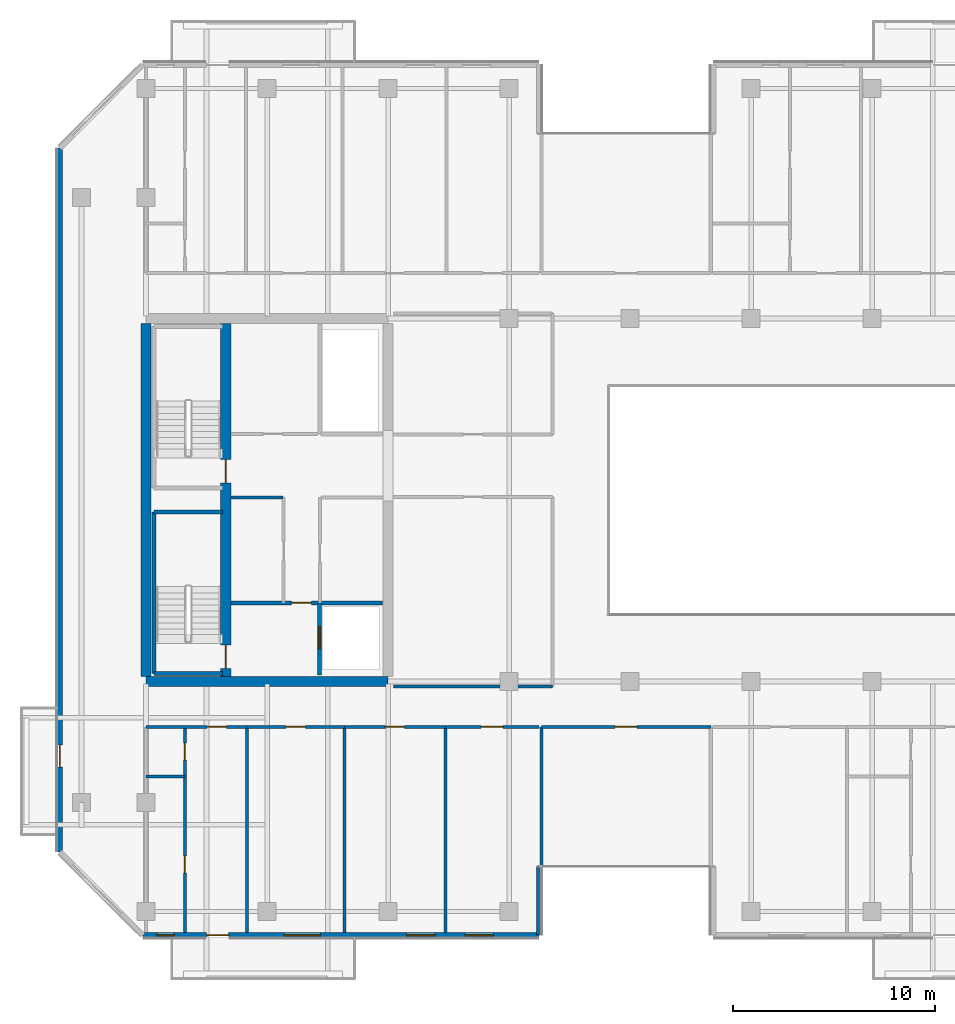
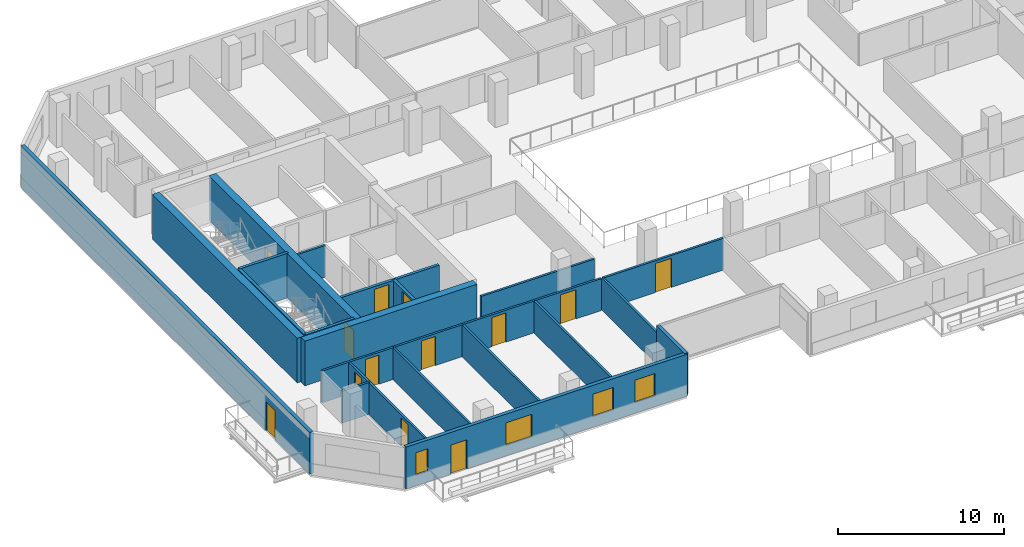
# One storey, part 9 of 19: 24 walls, 13 doors, 4 windows, 17 openings.
"""IFC4 building model written with IfcOpenShell, lengths in metres."""

from ifc_helpers import new_model, si_unit, direction, frame, frame_2d, origin, place, context, subcontext, project, spatial, rectangle, extrude, material, layer, layer_set, type_object, element, fill, save


model = new_model("IFC4")

# Units and contexts
model_context = context("Model", 3, precision=1e-05, world=origin(), true_north=direction((0.0, 1.0)))
body_context = subcontext(model_context, "Body", "Model", "MODEL_VIEW")
ifc_project = project(units=[si_unit("LENGTHUNIT", "METRE"), si_unit("AREAUNIT", "SQUARE_METRE"), si_unit("VOLUMEUNIT", "CUBIC_METRE"), si_unit("PLANEANGLEUNIT", "RADIAN"), si_unit("MASSUNIT", "GRAM", prefix="KILO")], contexts=[model_context])

# Site, building, storey
site_placement = place(None, origin())
site = spatial("IfcSite", under=ifc_project, at=site_placement, CompositionType="ELEMENT")
building_placement = place(site_placement, origin())
building = spatial("IfcBuilding", under=site, at=building_placement, Name="Tanjung Sevakor Pilgrim Tower", CompositionType="ELEMENT")
storey_placement = place(building_placement, frame((0.0, 0.0, 138.60009765625)))
storey = spatial("IfcBuildingStorey", under=building, at=storey_placement, Name="L38", CompositionType="ELEMENT", Elevation=138.60009765625)

# Walls
ifc_material_1 = material(Name="Concrete C60/75", Category="concrete")
ifc_layer_1 = layer(ifc_material_1, 0.5)
ifc_layer_set_1 = layer_set([ifc_layer_1], Name="WALL-CW-500")
wall_type_1 = type_object("IfcWallType", Name="WALL-CW-500", PredefinedType="SHEAR", material=ifc_layer_set_1)
wall_1_placement = place(storey_placement, frame((24.0, 24.60009765625, 0.0), z_axis=(0.0, 0.0, 1.0), x_axis=(1.0, 0.0, 0.0)))
element("IfcWall", 1, at=wall_1_placement, inside=storey, type_object=wall_type_1, Name="L38 W Core South Shear Wall", PredefinedType="SHEAR", context=body_context, shape_type="SweptSolid", body=[
    extrude(rectangle(XDim=12.0, YDim=0.5, at=frame_2d((6.0, 0.0))), origin(), (0.0, 0.0, 1.0), 3.2998046875),
])
wall_2_placement = place(storey_placement, frame((24.0, 24.85009765625, 0.0), z_axis=(0.0, 0.0, 1.0), x_axis=(0.0, 1.0, 0.0)))
element("IfcWall", 2, at=wall_2_placement, inside=storey, type_object=wall_type_1, Name="L38 W Core Outer Shear Wall", PredefinedType="SHEAR", context=body_context, shape_type="SweptSolid", body=[
    extrude(rectangle(XDim=17.5, YDim=0.5, at=frame_2d((8.75, 0.0))), origin(), (0.0, 0.0, 1.0), 3.2998046875),
])

# Wall, openings, doors
wall_3_placement = place(storey_placement, frame((27.949951171875, 24.85009765625, 0.0), z_axis=(0.0, 0.0, 1.0), x_axis=(0.0, 1.0, 0.0)))
wall_3 = element("IfcWall", 3, at=wall_3_placement, inside=storey, type_object=wall_type_1, Name="L38 W Core Stair Spine Wall", PredefinedType="SHEAR", context=body_context, shape_type="SweptSolid", body=[
    extrude(rectangle(XDim=17.5, YDim=0.5, at=frame_2d((8.75, 0.0))), origin(), (0.0, 0.0, 1.0), 3.2998046875),
])
opening_1_placement = place(wall_3_placement, frame((0.39990234375, 0.0, 0.0)))
opening_1 = element("IfcOpeningElement", 4, at=opening_1_placement, cuts=wall_3, Name="Opening ID-ST1", PredefinedType="OPENING", context=body_context, shape_type="SweptSolid", body=[
    extrude(rectangle(XDim=1.14990234375, YDim=2.14990234375, at=frame_2d((0.574951171875, 1.074951171875))), frame((0.0, 0.260009765625, 0.0), z_axis=(0.0, -1.0, 0.0), x_axis=(1.0, 0.0, 0.0)), (0.0, 0.0, 1.0), 0.52001953125),
])
opening_2_placement = place(wall_3_placement, frame((9.60009765625, 0.0, 0.0)))
opening_2 = element("IfcOpeningElement", 5, at=opening_2_placement, cuts=wall_3, Name="Opening ID-ST1", PredefinedType="OPENING", context=body_context, shape_type="SweptSolid", body=[
    extrude(rectangle(XDim=1.14990234375, YDim=2.14990234375, at=frame_2d((0.574951171875, 1.074951171875))), frame((0.0, 0.260009765625, 0.0), z_axis=(0.0, -1.0, 0.0), x_axis=(1.0, 0.0, 0.0)), (0.0, 0.0, 1.0), 0.52001953125),
])
ifc_material_2 = material(Name="Fire-Rated Steel S355J2", Category="steel")
door_type_1 = type_object("IfcDoorType", Name="DT-FIRE-1150", OperationType="NOTDEFINED", PredefinedType="DOOR", material=ifc_material_2)
door_1_placement = place(opening_1_placement, origin())
door_1 = element("IfcDoor", 6, at=door_1_placement, inside=storey, type_object=door_type_1, Name="L38 TS-W1 Stair Fire Door", OperationType="SINGLE_SWING_RIGHT", OverallHeight=2.14990234375, OverallWidth=1.14990234375, PredefinedType="DOOR", context=body_context, shape_type="SweptSolid", body=[
    extrude(rectangle(XDim=1.14990234375, YDim=2.14990234375, at=frame_2d((0.574951171875, 1.074951171875))), frame((0.0, 0.02490234375, 0.0), z_axis=(0.0, -1.0, 0.0), x_axis=(1.0, 0.0, 0.0)), (0.0, 0.0, 1.0), 0.050048828125),
])
fill(opening_1, door_1)
door_2_placement = place(opening_2_placement, origin())
door_2 = element("IfcDoor", 7, at=door_2_placement, inside=storey, type_object=door_type_1, Name="L38 TS-W2 Stair Fire Door", OperationType="SINGLE_SWING_LEFT", OverallHeight=2.14990234375, OverallWidth=1.14990234375, PredefinedType="DOOR", context=body_context, shape_type="SweptSolid", body=[
    extrude(rectangle(XDim=1.14990234375, YDim=2.14990234375, at=frame_2d((0.574951171875, 1.074951171875))), frame((0.0, 0.02490234375, 0.0), z_axis=(0.0, -1.0, 0.0), x_axis=(1.0, 0.0, 0.0)), (0.0, 0.0, 1.0), 0.050048828125),
])
fill(opening_2, door_2)

# Walls
ifc_material_3 = material(Name="Concrete C40/50", Category="concrete")
ifc_layer_2 = layer(ifc_material_3, 0.14990234375)
ifc_layer_set_2 = layer_set([ifc_layer_2], Name="WT-COMP-150")
wall_type_2 = type_object("IfcWallType", Name="WT-COMP-150", PredefinedType="SOLIDWALL", material=ifc_layer_set_2)
wall_4_placement = place(storey_placement, frame((28.219970703125, 33.719970703125, 0.0), z_axis=(0.0, 0.0, 1.0), x_axis=(1.0, 0.0, 0.0)))
element("IfcWall", 8, at=wall_4_placement, inside=storey, type_object=wall_type_2, Name="L38 Partition IW-L38-003", PredefinedType="SOLIDWALL", context=body_context, shape_type="SweptSolid", body=[
    extrude(rectangle(XDim=2.580078125, YDim=0.14990234375, at=frame_2d((1.2900390625, 0.0))), origin(), (0.0, 0.0, 1.0), 2.35009765625),
])
wall_5_placement = place(storey_placement, frame((36.27001953125, 24.35009765625, 0.0), z_axis=(0.0, 0.0, 1.0), x_axis=(1.0, 0.0, 0.0)))
element("IfcWall", 9, at=wall_5_placement, inside=storey, type_object=wall_type_2, Name="L38 Partition IW-L38-019", PredefinedType="SOLIDWALL", context=body_context, shape_type="SweptSolid", body=[
    extrude(rectangle(XDim=7.8798828125, YDim=0.14990234375, at=frame_2d((3.93994140625, 0.0))), origin(), (0.0, 0.0, 1.0), 2.35009765625),
])

# Wall, opening, door
wall_6_placement = place(storey_placement, frame((43.60009765625, 22.35009765625, 0.0), z_axis=(0.0, 0.0, 1.0), x_axis=(1.0, 0.0, 0.0)))
wall_6 = element("IfcWall", 10, at=wall_6_placement, inside=storey, type_object=wall_type_2, Name="L38 Partition IW-L38-031", PredefinedType="SOLIDWALL", context=body_context, shape_type="SweptSolid", body=[
    extrude(rectangle(XDim=8.39990234375, YDim=0.14990234375, at=frame_2d((4.199951171875, 0.0))), origin(), (0.0, 0.0, 1.0), 2.35009765625),
])
opening_3_placement = place(wall_6_placement, frame((3.64990234375, 0.0, 0.0)))
opening_3 = element("IfcOpeningElement", 11, at=opening_3_placement, cuts=wall_6, Name="Opening ID-RM2", PredefinedType="OPENING", context=body_context, shape_type="SweptSolid", body=[
    extrude(rectangle(XDim=1.10009765625, YDim=2.14990234375, at=frame_2d((0.550048828125, 1.074951171875))), frame((0.0, 0.0849609375, 0.0), z_axis=(0.0, -1.0, 0.0), x_axis=(1.0, 0.0, 0.0)), (0.0, 0.0, 1.0), 0.169921875),
])
ifc_material_4 = material(Name="Hardwood Timber", Category="wood")
door_type_2 = type_object("IfcDoorType", Name="DT-INT-1100", OperationType="NOTDEFINED", PredefinedType="DOOR", material=ifc_material_4)
door_3_placement = place(opening_3_placement, origin())
door_3 = element("IfcDoor", 12, at=door_3_placement, inside=storey, type_object=door_type_2, Name="L38 South Cleft Tea Sanctuary Door", OperationType="SINGLE_SWING_LEFT", OverallHeight=2.14990234375, OverallWidth=1.10009765625, PredefinedType="DOOR", context=body_context, shape_type="SweptSolid", body=[
    extrude(rectangle(XDim=1.10009765625, YDim=2.14990234375, at=frame_2d((0.550048828125, 1.074951171875))), frame((0.0, 0.02490234375, 0.0), z_axis=(0.0, -1.0, 0.0), x_axis=(1.0, 0.0, 0.0)), (0.0, 0.0, 1.0), 0.050048828125),
])
fill(opening_3, door_3)

# Walls
for number, where, z_axis, x_axis, name in (
    (13, (43.60009765625, 12.14990234375, 0.0), (0.0, 0.0, 1.0), (0.0, 1.0, 0.0), "L38 Partition IW-L38-032"),
    (14, (29.009033203125, 12.14990234375, 0.0), (0.0, 0.0, 1.0), (0.0, 1.0, 0.0), "L38 Partition IW-L38-038"),
):
    element("IfcWall", number, at=place(storey_placement, frame(where, z_axis=z_axis, x_axis=x_axis)), inside=storey, type_object=wall_type_2, Name=name, PredefinedType="SOLIDWALL", context=body_context, shape_type="SweptSolid", body=[
        extrude(rectangle(XDim=10.2001953125, YDim=0.14990234375, at=frame_2d((5.10009765625, 0.0))), origin(), (0.0, 0.0, 1.0), 2.35009765625),
    ])

# Wall, opening, door
wall_7_placement = place(storey_placement, frame((24.0, 22.35009765625, 0.0), z_axis=(0.0, 0.0, 1.0), x_axis=(1.0, 0.0, 0.0)))
wall_7 = element("IfcWall", 15, at=wall_7_placement, inside=storey, type_object=wall_type_2, Name="L38 Partition IW-L38-041", PredefinedType="SOLIDWALL", context=body_context, shape_type="SweptSolid", body=[
    extrude(rectangle(XDim=5.009033203125, YDim=0.14990234375, at=frame_2d((2.50439453125, 0.0))), origin(), (0.0, 0.0, 1.0), 2.35009765625),
])
opening_4_placement = place(wall_7_placement, frame((3.029541015625, 0.0, 0.0)))
opening_4 = element("IfcOpeningElement", 16, at=opening_4_placement, cuts=wall_7, Name="Opening ID-FD2", PredefinedType="OPENING", context=body_context, shape_type="SweptSolid", body=[
    extrude(rectangle(XDim=0.949951171875, YDim=2.14990234375, at=frame_2d((0.47509765625, 1.074951171875))), frame((0.0, 0.0849609375, 0.0), z_axis=(0.0, -1.0, 0.0), x_axis=(1.0, 0.0, 0.0)), (0.0, 0.0, 1.0), 0.169921875),
])
ifc_material_5 = material(Name="Fire-Rated Timber", Category="wood")
door_type_3 = type_object("IfcDoorType", Name="DT-FIRE-950", OperationType="NOTDEFINED", PredefinedType="DOOR", material=ifc_material_5)
door_4_placement = place(opening_4_placement, origin())
door_4 = element("IfcDoor", 17, at=door_4_placement, inside=storey, type_object=door_type_3, Name="Hostel Quad Entrance", OperationType="SINGLE_SWING_LEFT", OverallHeight=2.14990234375, OverallWidth=0.949951171875, PredefinedType="DOOR", context=body_context, shape_type="SweptSolid", body=[
    extrude(rectangle(XDim=0.949951171875, YDim=2.14990234375, at=frame_2d((0.47509765625, 1.074951171875))), frame((0.0, 0.02490234375, 0.0), z_axis=(0.0, -1.0, 0.0), x_axis=(1.0, 0.0, 0.0)), (0.0, 0.0, 1.0), 0.050048828125),
])
fill(opening_4, door_4)

# Wall
wall_8_placement = place(storey_placement, frame((33.832763671875, 12.14990234375, 0.0), z_axis=(0.0, 0.0, 1.0), x_axis=(0.0, 1.0, 0.0)))
element("IfcWall", 18, at=wall_8_placement, inside=storey, type_object=wall_type_2, Name="L38 Partition IW-L38-042", PredefinedType="SOLIDWALL", context=body_context, shape_type="SweptSolid", body=[
    extrude(rectangle(XDim=10.2001953125, YDim=0.14990234375, at=frame_2d((5.10009765625, 0.0))), origin(), (0.0, 0.0, 1.0), 2.35009765625),
])

# Wall, opening, door
wall_9_placement = place(storey_placement, frame((29.009033203125, 22.35009765625, 0.0), z_axis=(0.0, 0.0, 1.0), x_axis=(1.0, 0.0, 0.0)))
wall_9 = element("IfcWall", 19, at=wall_9_placement, inside=storey, type_object=wall_type_2, Name="L38 Partition IW-L38-043", PredefinedType="SOLIDWALL", context=body_context, shape_type="SweptSolid", body=[
    extrude(rectangle(XDim=4.82373046875, YDim=0.14990234375, at=frame_2d((2.411865234375, 0.0))), origin(), (0.0, 0.0, 1.0), 2.35009765625),
])
opening_5_placement = place(wall_9_placement, frame((1.936767578125, 0.0, 0.0)))
opening_5 = element("IfcOpeningElement", 20, at=opening_5_placement, cuts=wall_9, Name="Opening ID-FD2", PredefinedType="OPENING", context=body_context, shape_type="SweptSolid", body=[
    extrude(rectangle(XDim=0.949951171875, YDim=2.14990234375, at=frame_2d((0.47509765625, 1.074951171875))), frame((0.0, 0.0849609375, 0.0), z_axis=(0.0, -1.0, 0.0), x_axis=(1.0, 0.0, 0.0)), (0.0, 0.0, 1.0), 0.169921875),
])
door_5_placement = place(opening_5_placement, origin())
door_5 = element("IfcDoor", 21, at=door_5_placement, inside=storey, type_object=door_type_3, Name="Study Room Entrance", OperationType="SINGLE_SWING_RIGHT", OverallHeight=2.14990234375, OverallWidth=0.949951171875, PredefinedType="DOOR", context=body_context, shape_type="SweptSolid", body=[
    extrude(rectangle(XDim=0.949951171875, YDim=2.14990234375, at=frame_2d((0.47509765625, 1.074951171875))), frame((0.0, 0.02490234375, 0.0), z_axis=(0.0, -1.0, 0.0), x_axis=(1.0, 0.0, 0.0)), (0.0, 0.0, 1.0), 0.050048828125),
])
fill(opening_5, door_5)

# Wall
wall_10_placement = place(storey_placement, frame((38.841796875, 12.14990234375, 0.0), z_axis=(0.0, 0.0, 1.0), x_axis=(0.0, 1.0, 0.0)))
element("IfcWall", 22, at=wall_10_placement, inside=storey, type_object=wall_type_2, Name="L38 Partition IW-L38-044", PredefinedType="SOLIDWALL", context=body_context, shape_type="SweptSolid", body=[
    extrude(rectangle(XDim=10.2001953125, YDim=0.14990234375, at=frame_2d((5.10009765625, 0.0))), origin(), (0.0, 0.0, 1.0), 2.35009765625),
])

# Wall, opening, door
wall_11_placement = place(storey_placement, frame((33.832763671875, 22.35009765625, 0.0), z_axis=(0.0, 0.0, 1.0), x_axis=(1.0, 0.0, 0.0)))
wall_11 = element("IfcWall", 23, at=wall_11_placement, inside=storey, type_object=wall_type_2, Name="L38 Partition IW-L38-045", PredefinedType="SOLIDWALL", context=body_context, shape_type="SweptSolid", body=[
    extrude(rectangle(XDim=5.009033203125, YDim=0.14990234375, at=frame_2d((2.50439453125, 0.0))), origin(), (0.0, 0.0, 1.0), 2.35009765625),
])
opening_6_placement = place(wall_11_placement, frame((2.029541015625, 0.0, 0.0)))
opening_6 = element("IfcOpeningElement", 24, at=opening_6_placement, cuts=wall_11, Name="Opening ID-FD2", PredefinedType="OPENING", context=body_context, shape_type="SweptSolid", body=[
    extrude(rectangle(XDim=0.949951171875, YDim=2.14990234375, at=frame_2d((0.47509765625, 1.074951171875))), frame((0.0, 0.0849609375, 0.0), z_axis=(0.0, -1.0, 0.0), x_axis=(1.0, 0.0, 0.0)), (0.0, 0.0, 1.0), 0.169921875),
])
door_6_placement = place(opening_6_placement, origin())
door_6 = element("IfcDoor", 25, at=door_6_placement, inside=storey, type_object=door_type_3, Name="Study Room Entrance", OperationType="SINGLE_SWING_LEFT", OverallHeight=2.14990234375, OverallWidth=0.949951171875, PredefinedType="DOOR", context=body_context, shape_type="SweptSolid", body=[
    extrude(rectangle(XDim=0.949951171875, YDim=2.14990234375, at=frame_2d((0.47509765625, 1.074951171875))), frame((0.0, 0.02490234375, 0.0), z_axis=(0.0, -1.0, 0.0), x_axis=(1.0, 0.0, 0.0)), (0.0, 0.0, 1.0), 0.050048828125),
])
fill(opening_6, door_6)

wall_12_placement = place(storey_placement, frame((38.841796875, 22.35009765625, 0.0), z_axis=(0.0, 0.0, 1.0), x_axis=(1.0, 0.0, 0.0)))
wall_12 = element("IfcWall", 26, at=wall_12_placement, inside=storey, type_object=wall_type_2, Name="L38 Partition IW-L38-046", PredefinedType="SOLIDWALL", context=body_context, shape_type="SweptSolid", body=[
    extrude(rectangle(XDim=4.63818359375, YDim=0.14990234375, at=frame_2d((2.319091796875, 0.0))), origin(), (0.0, 0.0, 1.0), 2.35009765625),
])
opening_7_placement = place(wall_12_placement, frame((1.76904296875, 0.0, 0.0)))
opening_7 = element("IfcOpeningElement", 27, at=opening_7_placement, cuts=wall_12, Name="Opening ID-FD0", PredefinedType="OPENING", context=body_context, shape_type="SweptSolid", body=[
    extrude(rectangle(XDim=1.10009765625, YDim=2.14990234375, at=frame_2d((0.550048828125, 1.074951171875))), frame((0.0, 0.0849609375, 0.0), z_axis=(0.0, -1.0, 0.0), x_axis=(1.0, 0.0, 0.0)), (0.0, 0.0, 1.0), 0.169921875),
])
ifc_material_6 = material(Name="Fire-Rated Steel S355J2", Category="steel")
door_type_4 = type_object("IfcDoorType", Name="DT-FIRE-1100", OperationType="NOTDEFINED", PredefinedType="DOOR", material=ifc_material_6)
door_7_placement = place(opening_7_placement, origin())
door_7 = element("IfcDoor", 28, at=door_7_placement, inside=storey, type_object=door_type_4, Name="Communal Lounge Door", OperationType="SINGLE_SWING_RIGHT", OverallHeight=2.14990234375, OverallWidth=1.10009765625, PredefinedType="DOOR", context=body_context, shape_type="SweptSolid", body=[
    extrude(rectangle(XDim=1.10009765625, YDim=2.14990234375, at=frame_2d((0.550048828125, 1.074951171875))), frame((0.0, 0.02490234375, 0.0), z_axis=(0.0, -1.0, 0.0), x_axis=(1.0, 0.0, 0.0)), (0.0, 0.0, 1.0), 0.050048828125),
])
fill(opening_7, door_7)

# Wall, openings, door, windows
ifc_material_7 = material(Name="Precast concrete C45/55", Category="concrete")
ifc_layer_3 = layer(ifc_material_7, 0.25)
ifc_layer_set_3 = layer_set([ifc_layer_3], Name="WT-EW-STN3")
wall_type_3 = type_object("IfcWallType", Name="WT-EW-STN3", PredefinedType="SOLIDWALL", material=ifc_layer_set_3)
wall_13_placement = place(storey_placement, frame((23.851806640625, 12.02490234375, 0.0), z_axis=(0.0, 0.0, 1.0), x_axis=(1.0, 0.0, 0.0)))
wall_13 = element("IfcWall", 29, at=wall_13_placement, inside=storey, type_object=wall_type_3, Name="L38 MAIN Exterior Wall 1", PredefinedType="SOLIDWALL", context=body_context, shape_type="SweptSolid", body=[
    extrude(rectangle(XDim=19.623291015625, YDim=0.25, at=frame_2d((9.8115234375, 0.0))), origin(), (0.0, 0.0, 1.0), 3.080078125),
])
opening_8_placement = place(wall_13_placement, frame((3.148193359375, 0.0, 0.0)))
opening_8 = element("IfcOpeningElement", 30, at=opening_8_placement, cuts=wall_13, Name="Opening ED-BAL-1100", PredefinedType="OPENING", context=body_context, shape_type="SweptSolid", body=[
    extrude(rectangle(XDim=1.10009765625, YDim=2.14990234375, at=frame_2d((0.550048828125, 1.074951171875))), frame((0.0, 0.135009765625, 0.0), z_axis=(0.0, -1.0, 0.0), x_axis=(1.0, 0.0, 0.0)), (0.0, 0.0, 1.0), 0.27001953125),
])
opening_9_placement = place(wall_13_placement, frame((0.693115234375, 0.0, 0.780029296875)))
opening_9 = element("IfcOpeningElement", 31, at=opening_9_placement, cuts=wall_13, Name="Opening WN-SLM", PredefinedType="OPENING", context=body_context, shape_type="SweptSolid", body=[
    extrude(rectangle(XDim=0.85009765625, YDim=1.64990234375, at=frame_2d((0.425048828125, 0.824951171875))), frame((0.0, 0.135009765625, 0.0), z_axis=(0.0, -1.0, 0.0), x_axis=(1.0, 0.0, 0.0)), (0.0, 0.0, 1.0), 0.27001953125),
])
opening_10_placement = place(wall_13_placement, frame((6.989013671875, 0.0, 0.780029296875)))
opening_10 = element("IfcOpeningElement", 32, at=opening_10_placement, cuts=wall_13, Name="Opening WN-Z3-1660", PredefinedType="OPENING", context=body_context, shape_type="SweptSolid", body=[
    extrude(rectangle(XDim=1.800048828125, YDim=1.659912109375, at=frame_2d((0.89990234375, 0.830078125))), frame((0.0, 0.135009765625, 0.0), z_axis=(0.0, -1.0, 0.0), x_axis=(1.0, 0.0, 0.0)), (0.0, 0.0, 1.0), 0.27001953125),
])
opening_11_placement = place(wall_13_placement, frame((13.0654296875, 0.0, 0.780029296875)))
opening_11 = element("IfcOpeningElement", 33, at=opening_11_placement, cuts=wall_13, Name="Opening WN-END", PredefinedType="OPENING", context=body_context, shape_type="SweptSolid", body=[
    extrude(rectangle(XDim=1.39990234375, YDim=1.64990234375, at=frame_2d((0.699951171875, 0.824951171875))), frame((0.0, 0.135009765625, 0.0), z_axis=(0.0, -1.0, 0.0), x_axis=(1.0, 0.0, 0.0)), (0.0, 0.0, 1.0), 0.27001953125),
])
opening_12_placement = place(wall_13_placement, frame((15.968994140625, 0.0, 0.780029296875)))
opening_12 = element("IfcOpeningElement", 34, at=opening_12_placement, cuts=wall_13, Name="Opening WN-END", PredefinedType="OPENING", context=body_context, shape_type="SweptSolid", body=[
    extrude(rectangle(XDim=1.39990234375, YDim=1.64990234375, at=frame_2d((0.699951171875, 0.824951171875))), frame((0.0, 0.135009765625, 0.0), z_axis=(0.0, -1.0, 0.0), x_axis=(1.0, 0.0, 0.0)), (0.0, 0.0, 1.0), 0.27001953125),
])
ifc_material_8 = material(Name="Anodised Aluminium and Laminated Glass", Category="aluminium")
door_type_5 = type_object("IfcDoorType", Name="DTYP-ED-BAL-1100", OperationType="NOTDEFINED", PredefinedType="DOOR", material=ifc_material_8)
door_8_placement = place(opening_8_placement, frame((1.10009765625, 0.0, 0.0), z_axis=(0.0, 0.0, 1.0), x_axis=(-1.0, 0.0, 0.0)))
door_8 = element("IfcDoor", 35, at=door_8_placement, inside=storey, type_object=door_type_5, Name="L38 Balcony Door MAIN-S1", OperationType="SINGLE_SWING_RIGHT", OverallHeight=2.14990234375, OverallWidth=1.10009765625, PredefinedType="DOOR", context=body_context, shape_type="SweptSolid", body=[
    extrude(rectangle(XDim=1.10009765625, YDim=2.14990234375, at=frame_2d((0.550048828125, 1.074951171875))), frame((0.0, 0.02490234375, 0.0), z_axis=(0.0, -1.0, 0.0), x_axis=(1.0, 0.0, 0.0)), (0.0, 0.0, 1.0), 0.050048828125),
])
fill(opening_8, door_8)
ifc_material_9 = material(Name="Thermally Broken Aluminium and Low-E Glass", Category="aluminium")
window_type_1 = type_object("IfcWindowType", Name="WTYP-WN-END", PartitioningType="SINGLE_PANEL", PredefinedType="WINDOW", material=ifc_material_9)
window_1_placement = place(opening_11_placement, origin())
window_1 = element("IfcWindow", 36, at=window_1_placement, inside=storey, type_object=window_type_1, Name="L38 Facade Window 03", OverallHeight=1.64990234375, OverallWidth=1.39990234375, PartitioningType="SINGLE_PANEL", PredefinedType="WINDOW", context=body_context, shape_type="SweptSolid", body=[
    extrude(rectangle(XDim=1.39990234375, YDim=1.64990234375, at=frame_2d((0.699951171875, 0.824951171875))), frame((0.0, 0.030029296875, 0.0), z_axis=(0.0, -1.0, 0.0), x_axis=(1.0, 0.0, 0.0)), (0.0, 0.0, 1.0), 0.06005859375),
])
fill(opening_11, window_1)
window_2_placement = place(opening_12_placement, origin())
window_2 = element("IfcWindow", 37, at=window_2_placement, inside=storey, type_object=window_type_1, Name="L38 Facade Window 04", OverallHeight=1.64990234375, OverallWidth=1.39990234375, PartitioningType="SINGLE_PANEL", PredefinedType="WINDOW", context=body_context, shape_type="SweptSolid", body=[
    extrude(rectangle(XDim=1.39990234375, YDim=1.64990234375, at=frame_2d((0.699951171875, 0.824951171875))), frame((0.0, 0.030029296875, 0.0), z_axis=(0.0, -1.0, 0.0), x_axis=(1.0, 0.0, 0.0)), (0.0, 0.0, 1.0), 0.06005859375),
])
fill(opening_12, window_2)
ifc_material_10 = material(Name="Thermally Broken Aluminium and Low-E Glass", Category="aluminium")
window_type_2 = type_object("IfcWindowType", Name="WTYP-WN-SLM", PartitioningType="SINGLE_PANEL", PredefinedType="WINDOW", material=ifc_material_10)
window_3_placement = place(opening_9_placement, origin())
window_3 = element("IfcWindow", 38, at=window_3_placement, inside=storey, type_object=window_type_2, Name="L38 Facade Window 01", OverallHeight=1.64990234375, OverallWidth=0.85009765625, PartitioningType="SINGLE_PANEL", PredefinedType="WINDOW", context=body_context, shape_type="SweptSolid", body=[
    extrude(rectangle(XDim=0.85009765625, YDim=1.64990234375, at=frame_2d((0.425048828125, 0.824951171875))), frame((0.0, 0.030029296875, 0.0), z_axis=(0.0, -1.0, 0.0), x_axis=(1.0, 0.0, 0.0)), (0.0, 0.0, 1.0), 0.06005859375),
])
fill(opening_9, window_3)
ifc_material_11 = material(Name="Thermally Broken Aluminium and Low-E Glass", Category="aluminium")
window_type_3 = type_object("IfcWindowType", Name="WTYP-WN-Z3-1660", PartitioningType="DOUBLE_PANEL_VERTICAL", PredefinedType="WINDOW", material=ifc_material_11)
window_4_placement = place(opening_10_placement, origin())
window_4 = element("IfcWindow", 39, at=window_4_placement, inside=storey, type_object=window_type_3, Name="L38 Facade Window 02", OverallHeight=1.659912109375, OverallWidth=1.800048828125, PartitioningType="SINGLE_PANEL", PredefinedType="WINDOW", context=body_context, shape_type="SweptSolid", body=[
    extrude(rectangle(XDim=1.800048828125, YDim=1.659912109375, at=frame_2d((0.89990234375, 0.830078125))), frame((0.0, 0.030029296875, 0.0), z_axis=(0.0, -1.0, 0.0), x_axis=(1.0, 0.0, 0.0)), (0.0, 0.0, 1.0), 0.06005859375),
])
fill(opening_10, window_4)

# Wall
wall_14_placement = place(storey_placement, frame((43.47509765625, 12.02490234375, 0.0), z_axis=(0.0, 0.0, 1.0), x_axis=(0.0, 1.0, 0.0)))
element("IfcWall", 40, at=wall_14_placement, inside=storey, type_object=wall_type_3, Name="L38 MAIN Exterior Wall 2", PredefinedType="SOLIDWALL", context=body_context, shape_type="SweptSolid", body=[
    extrude(rectangle(XDim=3.400146484375, YDim=0.25, at=frame_2d((1.7001953125, 0.0))), origin(), (0.0, 0.0, 1.0), 3.080078125),
])

# Wall, opening, door
wall_15_placement = place(storey_placement, frame((19.72509765625, 51.048095703125, 0.0), z_axis=(0.0, 0.0, 1.0), x_axis=(0.0, -1.0, 0.0)))
wall_15 = element("IfcWall", 41, at=wall_15_placement, inside=storey, type_object=wall_type_3, Name="L38 MAIN Exterior Wall 15", PredefinedType="SOLIDWALL", context=body_context, shape_type="SweptSolid", body=[
    extrude(rectangle(XDim=34.896240234375, YDim=0.25, at=frame_2d((17.4482421875, 0.0))), origin(), (0.0, 0.0, 1.0), 3.080078125),
])
opening_13_placement = place(wall_15_placement, frame((29.59814453125, 0.0, 0.0)))
opening_13 = element("IfcOpeningElement", 42, at=opening_13_placement, cuts=wall_15, Name="Opening ED-BAL-1100", PredefinedType="OPENING", context=body_context, shape_type="SweptSolid", body=[
    extrude(rectangle(XDim=1.10009765625, YDim=2.14990234375, at=frame_2d((0.550048828125, 1.074951171875))), frame((0.0, 0.135009765625, 0.0), z_axis=(0.0, -1.0, 0.0), x_axis=(1.0, 0.0, 0.0)), (0.0, 0.0, 1.0), 0.27001953125),
])
door_9_placement = place(opening_13_placement, frame((1.10009765625, 0.0, 0.0), z_axis=(0.0, 0.0, 1.0), x_axis=(-1.0, 0.0, 0.0)))
door_9 = element("IfcDoor", 43, at=door_9_placement, inside=storey, type_object=door_type_5, Name="L38 West Loggia Door MAIN-W1", OperationType="SINGLE_SWING_LEFT", OverallHeight=2.14990234375, OverallWidth=1.10009765625, PredefinedType="DOOR", context=body_context, shape_type="SweptSolid", body=[
    extrude(rectangle(XDim=1.10009765625, YDim=2.14990234375, at=frame_2d((0.550048828125, 1.074951171875))), frame((0.0, 0.02490234375, 0.0), z_axis=(0.0, -1.0, 0.0), x_axis=(1.0, 0.0, 0.0)), (0.0, 0.0, 1.0), 0.050048828125),
])
fill(opening_13, door_9)

# Walls
ifc_material_12 = material(Name="Concrete C40/50", Category="concrete")
ifc_layer_4 = layer(ifc_material_12, 0.199951171875)
ifc_layer_set_4 = layer_set([ifc_layer_4], Name="WT-FIRE-200")
wall_type_4 = type_object("IfcWallType", Name="WT-FIRE-200", PredefinedType="SOLIDWALL", material=ifc_layer_set_4)
for number, where, z_axis, x_axis, name in (
    (44, (24.39990234375, 25.0, 0.0), (0.0, 0.0, 1.0), (1.0, 0.0, 0.0), "L38 TS-W1 Shaft Wall 1"),
    (45, (27.800048828125, 33.0, 0.0), (0.0, 0.0, 1.0), (-1.0, 0.0, 0.0), "L38 TS-W1 Shaft Wall 2"),
):
    element("IfcWall", number, at=place(storey_placement, frame(where, z_axis=z_axis, x_axis=x_axis)), inside=storey, type_object=wall_type_4, Name=name, PredefinedType="SOLIDWALL", context=body_context, shape_type="SweptSolid", body=[
        extrude(rectangle(XDim=3.400146484375, YDim=0.199951171875, at=frame_2d((1.7001953125, 0.0))), origin(), (0.0, 0.0, 1.0), 3.2998046875),
    ])
wall_16_placement = place(storey_placement, frame((24.39990234375, 33.0, 0.0), z_axis=(0.0, 0.0, 1.0), x_axis=(0.0, -1.0, 0.0)))
element("IfcWall", 46, at=wall_16_placement, inside=storey, type_object=wall_type_4, Name="L38 TS-W1 Shaft Wall 3", PredefinedType="SOLIDWALL", context=body_context, shape_type="SweptSolid", body=[
    extrude(rectangle(XDim=8.0, YDim=0.199951171875, at=frame_2d((4.0, 0.0))), origin(), (0.0, 0.0, 1.0), 3.2998046875),
])

# Wall, opening, door
ifc_material_13 = material(Name="Concrete C40/50", Category="concrete")
ifc_layer_5 = layer(ifc_material_13, 0.199951171875)
ifc_layer_set_5 = layer_set([ifc_layer_5], Name="WT-FPRT-200")
wall_type_5 = type_object("IfcWallType", Name="WT-FPRT-200", PredefinedType="SOLIDWALL", material=ifc_layer_set_5)
wall_17_placement = place(storey_placement, frame((32.60009765625, 24.919921875, 0.0), z_axis=(0.0, 0.0, 1.0), x_axis=(0.0, 1.0, 0.0)))
wall_17 = element("IfcWall", 47, at=wall_17_placement, inside=storey, type_object=wall_type_5, Name="L38 Partition IW-L38-001", PredefinedType="SOLIDWALL", context=body_context, shape_type="SweptSolid", body=[
    extrude(rectangle(XDim=3.580078125, YDim=0.199951171875, at=frame_2d((1.7900390625, 0.0))), origin(), (0.0, 0.0, 1.0), 2.35009765625),
])
opening_14_placement = place(wall_17_placement, frame((1.300048828125, 0.0, 0.0)))
opening_14 = element("IfcOpeningElement", 48, at=opening_14_placement, cuts=wall_17, Name="Opening LD-1100", PredefinedType="OPENING", context=body_context, shape_type="SweptSolid", body=[
    extrude(rectangle(XDim=1.10009765625, YDim=2.199951171875, at=frame_2d((0.550048828125, 1.10009765625))), frame((0.0, 0.10986328125, 0.0), z_axis=(0.0, -1.0, 0.0), x_axis=(1.0, 0.0, 0.0)), (0.0, 0.0, 1.0), 0.219970703125),
])
ifc_material_14 = material(Name="Brushed Stainless Steel S355J2", Category="steel")
door_type_6 = type_object("IfcDoorType", Name="DT-LIFT-1100", OperationType="SLIDING_TO_LEFT", PredefinedType="DOOR", material=ifc_material_14)
door_10_placement = place(opening_14_placement, origin())
door_10 = element("IfcDoor", 49, at=door_10_placement, inside=storey, type_object=door_type_6, Name="LD-FL-W", OperationType="SLIDING_TO_LEFT", OverallHeight=2.199951171875, OverallWidth=1.10009765625, PredefinedType="DOOR", context=body_context, shape_type="SweptSolid", body=[
    extrude(rectangle(XDim=1.10009765625, YDim=2.199951171875, at=frame_2d((0.550048828125, 1.10009765625))), frame((0.0, 0.02490234375, 0.0), z_axis=(0.0, -1.0, 0.0), x_axis=(1.0, 0.0, 0.0)), (0.0, 0.0, 1.0), 0.050048828125),
])
fill(opening_14, door_10)

wall_18_placement = place(storey_placement, frame((28.219970703125, 28.5, 0.0), z_axis=(0.0, 0.0, 1.0), x_axis=(1.0, 0.0, 0.0)))
wall_18 = element("IfcWall", 50, at=wall_18_placement, inside=storey, type_object=wall_type_5, Name="L38 Partition IW-L38-002", PredefinedType="SOLIDWALL", context=body_context, shape_type="SweptSolid", body=[
    extrude(rectangle(XDim=7.510009765625, YDim=0.199951171875, at=frame_2d((3.7548828125, 0.0))), origin(), (0.0, 0.0, 1.0), 2.35009765625),
])
opening_15_placement = place(wall_18_placement, frame((2.97998046875, 0.0, 0.0)))
opening_15 = element("IfcOpeningElement", 51, at=opening_15_placement, cuts=wall_18, Name="Opening ID-FD1", PredefinedType="OPENING", context=body_context, shape_type="SweptSolid", body=[
    extrude(rectangle(XDim=1.0, YDim=2.14990234375, at=frame_2d((0.5, 1.074951171875))), frame((0.0, 0.10986328125, 0.0), z_axis=(0.0, -1.0, 0.0), x_axis=(1.0, 0.0, 0.0)), (0.0, 0.0, 1.0), 0.219970703125),
])
ifc_material_15 = material(Name="Fire-Rated Steel S355J2", Category="steel")
door_type_7 = type_object("IfcDoorType", Name="DT-FIRE-1000", OperationType="NOTDEFINED", PredefinedType="DOOR", material=ifc_material_15)
door_11_placement = place(opening_15_placement, origin())
door_11 = element("IfcDoor", 52, at=door_11_placement, inside=storey, type_object=door_type_7, Name="Fire Lobby Door W", OperationType="SINGLE_SWING_RIGHT", OverallHeight=2.14990234375, OverallWidth=1.0, PredefinedType="DOOR", context=body_context, shape_type="SweptSolid", body=[
    extrude(rectangle(XDim=1.0, YDim=2.14990234375, at=frame_2d((0.5, 1.074951171875))), frame((0.0, 0.02490234375, 0.0), z_axis=(0.0, -1.0, 0.0), x_axis=(1.0, 0.0, 0.0)), (0.0, 0.0, 1.0), 0.050048828125),
])
fill(opening_15, door_11)

# Wall
ifc_material_16 = material(Name="Gypsum Board Partition", Category="gypsum board")
ifc_layer_6 = layer(ifc_material_16, 0.14990234375)
ifc_layer_set_6 = layer_set([ifc_layer_6], Name="WT-PART-150")
wall_type_6 = type_object("IfcWallType", Name="WT-PART-150", PredefinedType="PARTITIONING", material=ifc_layer_set_6)
wall_19_placement = place(storey_placement, frame((24.0, 19.89990234375, 0.0), z_axis=(0.0, 0.0, 1.0), x_axis=(1.0, 0.0, 0.0)))
element("IfcWall", 53, at=wall_19_placement, inside=storey, type_object=wall_type_6, Name="L38 Partition IW-L38-039", PredefinedType="PARTITIONING", context=body_context, shape_type="SweptSolid", body=[
    extrude(rectangle(XDim=1.919921875, YDim=0.14990234375, at=frame_2d((0.9599609375, 0.0))), origin(), (0.0, 0.0, 1.0), 2.35009765625),
])

# Wall, openings, doors
wall_20_placement = place(storey_placement, frame((25.919921875, 12.14990234375, 0.0), z_axis=(0.0, 0.0, 1.0), x_axis=(0.0, 1.0, 0.0)))
wall_20 = element("IfcWall", 54, at=wall_20_placement, inside=storey, type_object=wall_type_6, Name="L38 Partition IW-L38-040", PredefinedType="PARTITIONING", context=body_context, shape_type="SweptSolid", body=[
    extrude(rectangle(XDim=10.2001953125, YDim=0.14990234375, at=frame_2d((5.10009765625, 0.0))), origin(), (0.0, 0.0, 1.0), 2.35009765625),
])
opening_16_placement = place(wall_20_placement, frame((2.9599609375, 0.0, 0.0)))
opening_16 = element("IfcOpeningElement", 55, at=opening_16_placement, cuts=wall_20, Name="Opening ID-WC1", PredefinedType="OPENING", context=body_context, shape_type="SweptSolid", body=[
    extrude(rectangle(XDim=0.85009765625, YDim=2.10009765625, at=frame_2d((0.425048828125, 1.050048828125))), frame((0.0, 0.0849609375, 0.0), z_axis=(0.0, -1.0, 0.0), x_axis=(1.0, 0.0, 0.0)), (0.0, 0.0, 1.0), 0.169921875),
])
opening_17_placement = place(wall_20_placement, frame((8.550048828125, 0.0, 0.0)))
opening_17 = element("IfcOpeningElement", 56, at=opening_17_placement, cuts=wall_20, Name="Opening ID-WC1", PredefinedType="OPENING", context=body_context, shape_type="SweptSolid", body=[
    extrude(rectangle(XDim=0.85009765625, YDim=2.10009765625, at=frame_2d((0.425048828125, 1.050048828125))), frame((0.0, 0.0849609375, 0.0), z_axis=(0.0, -1.0, 0.0), x_axis=(1.0, 0.0, 0.0)), (0.0, 0.0, 1.0), 0.169921875),
])
ifc_material_17 = material(Name="Moisture-Resistant Timber", Category="wood")
door_type_8 = type_object("IfcDoorType", Name="DT-INT-850", OperationType="NOTDEFINED", PredefinedType="DOOR", material=ifc_material_17)
door_12_placement = place(opening_16_placement, origin())
door_12 = element("IfcDoor", 57, at=door_12_placement, inside=storey, type_object=door_type_8, Name="Study Nook Door", OperationType="SINGLE_SWING_LEFT", OverallHeight=2.10009765625, OverallWidth=0.85009765625, PredefinedType="DOOR", context=body_context, shape_type="SweptSolid", body=[
    extrude(rectangle(XDim=0.85009765625, YDim=2.10009765625, at=frame_2d((0.425048828125, 1.050048828125))), frame((0.0, 0.02490234375, 0.0), z_axis=(0.0, -1.0, 0.0), x_axis=(1.0, 0.0, 0.0)), (0.0, 0.0, 1.0), 0.050048828125),
])
fill(opening_16, door_12)
door_13_placement = place(opening_17_placement, origin())
door_13 = element("IfcDoor", 58, at=door_13_placement, inside=storey, type_object=door_type_8, Name="Bathroom Door", OperationType="SINGLE_SWING_RIGHT", OverallHeight=2.10009765625, OverallWidth=0.85009765625, PredefinedType="DOOR", context=body_context, shape_type="SweptSolid", body=[
    extrude(rectangle(XDim=0.85009765625, YDim=2.10009765625, at=frame_2d((0.425048828125, 1.050048828125))), frame((0.0, 0.02490234375, 0.0), z_axis=(0.0, -1.0, 0.0), x_axis=(1.0, 0.0, 0.0)), (0.0, 0.0, 1.0), 0.050048828125),
])
fill(opening_17, door_13)

save(model, "model.ifc")
